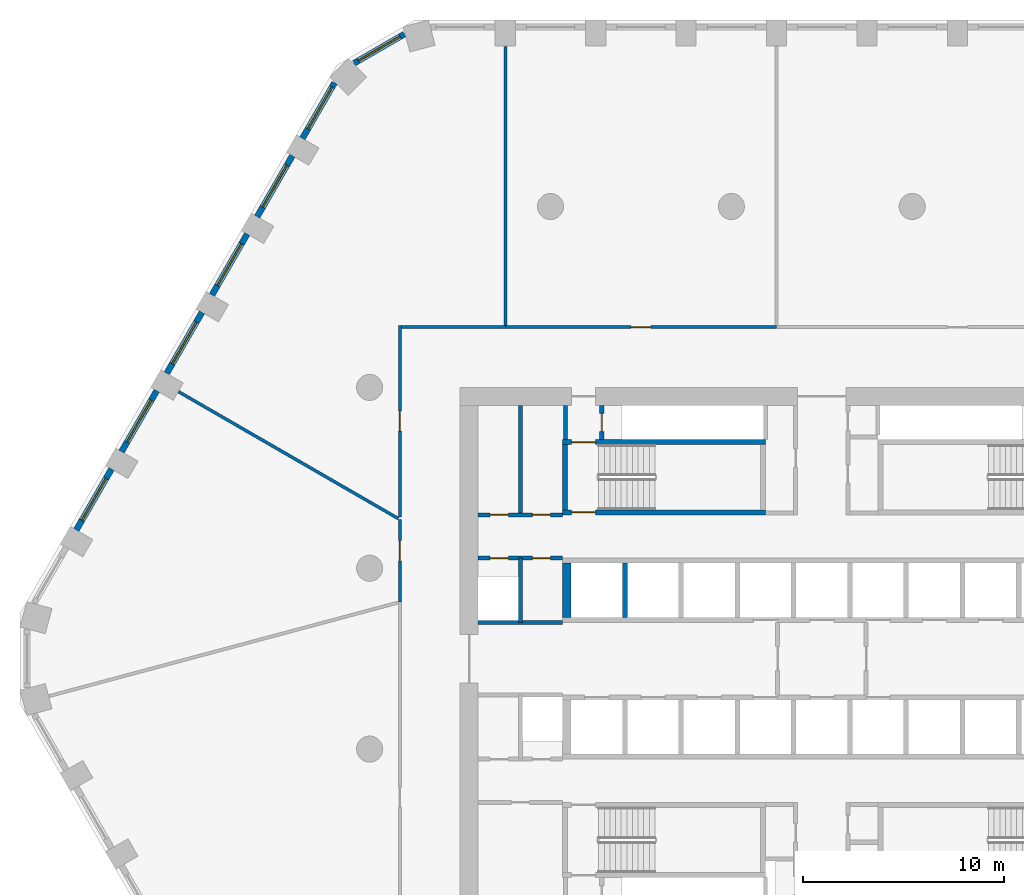
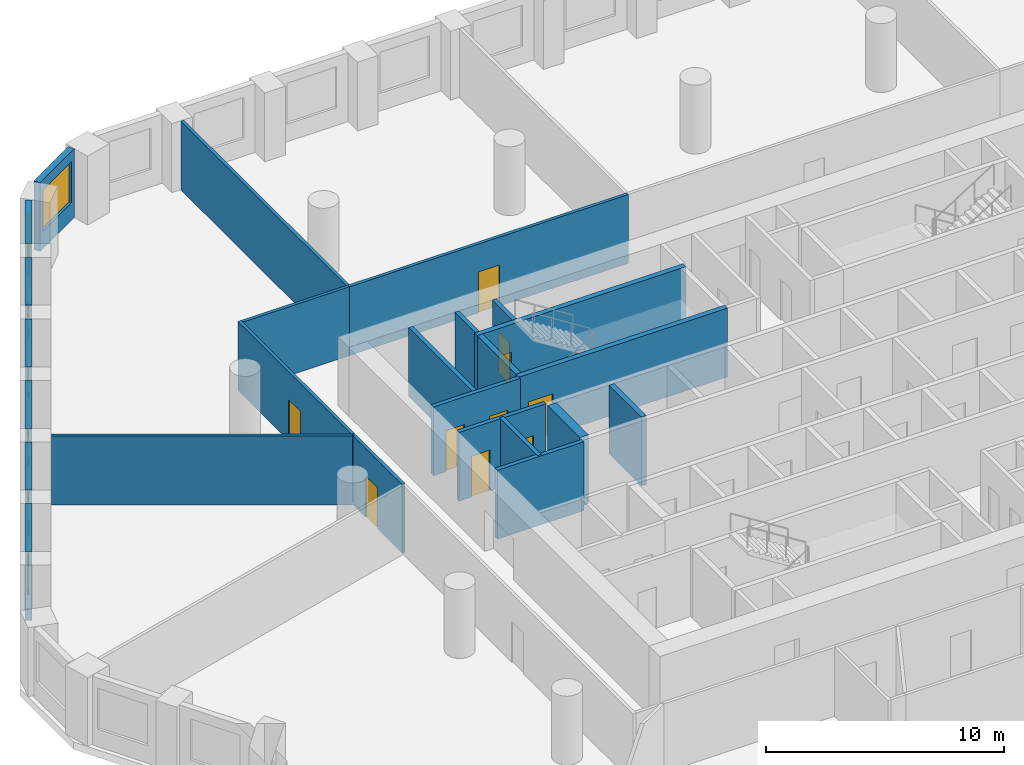
# One storey, part 5 of 9: 25 walls, 10 doors, 7 windows, 17 openings.
"""IFC4 building model written with IfcOpenShell, lengths in metres."""

from ifc_helpers import new_model, si_unit, direction, frame, frame_2d, origin, place, context, subcontext, project, spatial, polyline, rectangle, outline, extrude, material, layer, layer_set, type_object, element, fill, save


model = new_model("IFC4")

# Units and contexts
model_context = context("Model", 3, precision=1e-05, world=origin(), true_north=direction((0.0, 1.0)))
body_context = subcontext(model_context, "Body", "Model", "MODEL_VIEW")
ifc_project = project(units=[si_unit("LENGTHUNIT", "METRE"), si_unit("AREAUNIT", "SQUARE_METRE"), si_unit("VOLUMEUNIT", "CUBIC_METRE"), si_unit("PLANEANGLEUNIT", "RADIAN"), si_unit("MASSUNIT", "GRAM", prefix="KILO")], contexts=[model_context])

# Site, building, storey
site_placement = place(None, origin())
site = spatial("IfcSite", under=ifc_project, at=site_placement, CompositionType="ELEMENT")
building_placement = place(site_placement, origin())
building = spatial("IfcBuilding", under=site, at=building_placement, Name="Dhurran Vertical Campus", CompositionType="ELEMENT")
storey_placement = place(building_placement, frame((0.0, 0.0, 120.300048828125)))
storey = spatial("IfcBuildingStorey", under=building, at=storey_placement, Name="L29", CompositionType="ELEMENT", Elevation=120.300048828125)

# Wall, opening, window
ifc_material_1 = material(Name="Precast concrete C50/60", Category="concrete")
ifc_layer_1 = layer(ifc_material_1, 0.300048828125)
ifc_layer_set_1 = layer_set([ifc_layer_1], Name="Precast concrete C50/60")
wall_type_1 = type_object("IfcWallType", Name="Precast spandrel wall 300", PredefinedType="SOLIDWALL", material=ifc_layer_set_1)
wall_1_placement = place(storey_placement, frame((-20.774169921875, 31.072998046875, 0.0), z_axis=(0.0, 0.0, 1.0), x_axis=(-0.866053149362, -0.49995194017, 0.0)))
wall_1 = element("IfcWall", 1, at=wall_1_placement, inside=storey, type_object=wall_type_1, Name="EW1 L29.35", PredefinedType="SOLIDWALL", context=body_context, shape_type="SweptSolid", body=[
    extrude(rectangle(XDim=2.885498046875, YDim=0.300048828125, at=frame_2d((1.44287109375, 0.0))), origin(), (0.0, 0.0, 1.0), 3.52490234375),
])
opening_1_placement = place(wall_1_placement, frame((0.242919921875, 0.0, 0.89990234375)))
opening_1 = element("IfcOpeningElement", 2, at=opening_1_placement, cuts=wall_1, Name="Opening WT1", PredefinedType="OPENING", context=body_context, shape_type="SweptSolid", body=[
    extrude(rectangle(XDim=2.39990234375, YDim=2.10009765625, at=frame_2d((1.199951171875, 1.050048828125))), frame((0.0, 0.159912109375, 0.0), z_axis=(0.0, -1.0, 0.0), x_axis=(1.0, 0.0, 0.0)), (0.0, 0.0, 1.0), 0.320068359375),
])
ifc_material_2 = material(Name="Aluminium frame with solar-control glass", Category="aluminium")
window_type = type_object("IfcWindowType", Name="Punched window 2400 x 2100", PartitioningType="SINGLE_PANEL", PredefinedType="WINDOW", material=ifc_material_2)
window_1_placement = place(opening_1_placement, origin())
window_1 = element("IfcWindow", 3, at=window_1_placement, inside=storey, type_object=window_type, Name="WT1 L29.35", OverallHeight=2.10009765625, OverallWidth=2.39990234375, PartitioningType="SINGLE_PANEL", PredefinedType="WINDOW", context=body_context, shape_type="SweptSolid", body=[
    extrude(rectangle(XDim=2.39990234375, YDim=2.10009765625, at=frame_2d((1.199951171875, 1.050048828125))), frame((0.0, 0.030029296875, 0.0), z_axis=(0.0, -1.0, 0.0), x_axis=(1.0, 0.0, 0.0)), (0.0, 0.0, 1.0), 0.06005859375),
])
fill(opening_1, window_1)

wall_2_placement = place(storey_placement, frame((-24.24755859375, 28.65576171875, 0.0), z_axis=(0.0, 0.0, 1.0), x_axis=(-0.500004907028, -0.866022570692, 0.0)))
wall_2 = element("IfcWall", 4, at=wall_2_placement, inside=storey, type_object=wall_type_1, Name="EW1 L29.36", PredefinedType="SOLIDWALL", context=body_context, shape_type="SweptSolid", body=[
    extrude(rectangle(XDim=3.1923828125, YDim=0.300048828125, at=frame_2d((1.59619140625, 0.0))), origin(), (0.0, 0.0, 1.0), 3.52490234375),
])
opening_2_placement = place(wall_2_placement, frame((0.242919921875, 0.0, 0.89990234375)))
opening_2 = element("IfcOpeningElement", 5, at=opening_2_placement, cuts=wall_2, Name="Opening WT1", PredefinedType="OPENING", context=body_context, shape_type="SweptSolid", body=[
    extrude(rectangle(XDim=2.39990234375, YDim=2.10009765625, at=frame_2d((1.199951171875, 1.050048828125))), frame((0.0, 0.159912109375, 0.0), z_axis=(0.0, -1.0, 0.0), x_axis=(1.0, 0.0, 0.0)), (0.0, 0.0, 1.0), 0.320068359375),
])
window_2_placement = place(opening_2_placement, origin())
window_2 = element("IfcWindow", 6, at=window_2_placement, inside=storey, type_object=window_type, Name="WT1 L29.36", OverallHeight=2.10009765625, OverallWidth=2.39990234375, PartitioningType="SINGLE_PANEL", PredefinedType="WINDOW", context=body_context, shape_type="SweptSolid", body=[
    extrude(rectangle(XDim=2.39990234375, YDim=2.10009765625, at=frame_2d((1.199951171875, 1.050048828125))), frame((0.0, 0.030029296875, 0.0), z_axis=(0.0, -1.0, 0.0), x_axis=(1.0, 0.0, 0.0)), (0.0, 0.0, 1.0), 0.06005859375),
])
fill(opening_2, window_2)

wall_3_placement = place(storey_placement, frame((-26.34423828125, 25.024169921875, 0.0), z_axis=(0.0, 0.0, 1.0), x_axis=(-0.499996256241, -0.866027565234, 0.0)))
wall_3 = element("IfcWall", 7, at=wall_3_placement, inside=storey, type_object=wall_type_1, Name="EW1 L29.37", PredefinedType="SOLIDWALL", context=body_context, shape_type="SweptSolid", body=[
    extrude(rectangle(XDim=3.4990234375, YDim=0.300048828125, at=frame_2d((1.74951171875, 0.0))), origin(), (0.0, 0.0, 1.0), 3.52490234375),
])
opening_3_placement = place(wall_3_placement, frame((0.549560546875, 0.0, 0.89990234375)))
opening_3 = element("IfcOpeningElement", 8, at=opening_3_placement, cuts=wall_3, Name="Opening WT1", PredefinedType="OPENING", context=body_context, shape_type="SweptSolid", body=[
    extrude(rectangle(XDim=2.39990234375, YDim=2.10009765625, at=frame_2d((1.199951171875, 1.050048828125))), frame((0.0, 0.159912109375, 0.0), z_axis=(0.0, -1.0, 0.0), x_axis=(1.0, 0.0, 0.0)), (0.0, 0.0, 1.0), 0.320068359375),
])
window_3_placement = place(opening_3_placement, origin())
window_3 = element("IfcWindow", 9, at=window_3_placement, inside=storey, type_object=window_type, Name="WT1 L29.37", OverallHeight=2.10009765625, OverallWidth=2.39990234375, PartitioningType="SINGLE_PANEL", PredefinedType="WINDOW", context=body_context, shape_type="SweptSolid", body=[
    extrude(rectangle(XDim=2.39990234375, YDim=2.10009765625, at=frame_2d((1.199951171875, 1.050048828125))), frame((0.0, 0.030029296875, 0.0), z_axis=(0.0, -1.0, 0.0), x_axis=(1.0, 0.0, 0.0)), (0.0, 0.0, 1.0), 0.06005859375),
])
fill(opening_3, window_3)

wall_4_placement = place(storey_placement, frame((-28.59423828125, 21.127197265625, 0.0), z_axis=(0.0, 0.0, 1.0), x_axis=(-0.499996256241, -0.866027565234, 0.0)))
wall_4 = element("IfcWall", 10, at=wall_4_placement, inside=storey, type_object=wall_type_1, Name="EW1 L29.38", PredefinedType="SOLIDWALL", context=body_context, shape_type="SweptSolid", body=[
    extrude(rectangle(XDim=3.4990234375, YDim=0.300048828125, at=frame_2d((1.74951171875, 0.0))), origin(), (0.0, 0.0, 1.0), 3.52490234375),
])
opening_4_placement = place(wall_4_placement, frame((0.549560546875, 0.0, 0.89990234375)))
opening_4 = element("IfcOpeningElement", 11, at=opening_4_placement, cuts=wall_4, Name="Opening WT1", PredefinedType="OPENING", context=body_context, shape_type="SweptSolid", body=[
    extrude(rectangle(XDim=2.39990234375, YDim=2.10009765625, at=frame_2d((1.199951171875, 1.050048828125))), frame((0.0, 0.159912109375, 0.0), z_axis=(0.0, -1.0, 0.0), x_axis=(1.0, 0.0, 0.0)), (0.0, 0.0, 1.0), 0.320068359375),
])
window_4_placement = place(opening_4_placement, origin())
window_4 = element("IfcWindow", 12, at=window_4_placement, inside=storey, type_object=window_type, Name="WT1 L29.38", OverallHeight=2.10009765625, OverallWidth=2.39990234375, PartitioningType="SINGLE_PANEL", PredefinedType="WINDOW", context=body_context, shape_type="SweptSolid", body=[
    extrude(rectangle(XDim=2.39990234375, YDim=2.10009765625, at=frame_2d((1.199951171875, 1.050048828125))), frame((0.0, 0.030029296875, 0.0), z_axis=(0.0, -1.0, 0.0), x_axis=(1.0, 0.0, 0.0)), (0.0, 0.0, 1.0), 0.06005859375),
])
fill(opening_4, window_4)

wall_5_placement = place(storey_placement, frame((-30.84423828125, 17.22998046875, 0.0), z_axis=(0.0, 0.0, 1.0), x_axis=(-0.499996256241, -0.866027565234, 0.0)))
wall_5 = element("IfcWall", 13, at=wall_5_placement, inside=storey, type_object=wall_type_1, Name="EW1 L29.39", PredefinedType="SOLIDWALL", context=body_context, shape_type="SweptSolid", body=[
    extrude(rectangle(XDim=3.4990234375, YDim=0.300048828125, at=frame_2d((1.74951171875, 0.0))), origin(), (0.0, 0.0, 1.0), 3.52490234375),
])
opening_5_placement = place(wall_5_placement, frame((0.549560546875, 0.0, 0.89990234375)))
opening_5 = element("IfcOpeningElement", 14, at=opening_5_placement, cuts=wall_5, Name="Opening WT1", PredefinedType="OPENING", context=body_context, shape_type="SweptSolid", body=[
    extrude(rectangle(XDim=2.39990234375, YDim=2.10009765625, at=frame_2d((1.199951171875, 1.050048828125))), frame((0.0, 0.159912109375, 0.0), z_axis=(0.0, -1.0, 0.0), x_axis=(1.0, 0.0, 0.0)), (0.0, 0.0, 1.0), 0.320068359375),
])
window_5_placement = place(opening_5_placement, origin())
window_5 = element("IfcWindow", 15, at=window_5_placement, inside=storey, type_object=window_type, Name="WT1 L29.39", OverallHeight=2.10009765625, OverallWidth=2.39990234375, PartitioningType="SINGLE_PANEL", PredefinedType="WINDOW", context=body_context, shape_type="SweptSolid", body=[
    extrude(rectangle(XDim=2.39990234375, YDim=2.10009765625, at=frame_2d((1.199951171875, 1.050048828125))), frame((0.0, 0.030029296875, 0.0), z_axis=(0.0, -1.0, 0.0), x_axis=(1.0, 0.0, 0.0)), (0.0, 0.0, 1.0), 0.06005859375),
])
fill(opening_5, window_5)

wall_6_placement = place(storey_placement, frame((-33.09423828125, 13.3330078125, 0.0), z_axis=(0.0, 0.0, 1.0), x_axis=(-0.499996256241, -0.866027565234, 0.0)))
wall_6 = element("IfcWall", 16, at=wall_6_placement, inside=storey, type_object=wall_type_1, Name="EW1 L29.40", PredefinedType="SOLIDWALL", context=body_context, shape_type="SweptSolid", body=[
    extrude(rectangle(XDim=3.4990234375, YDim=0.300048828125, at=frame_2d((1.74951171875, 0.0))), origin(), (0.0, 0.0, 1.0), 3.52490234375),
])
opening_6_placement = place(wall_6_placement, frame((0.549560546875, 0.0, 0.89990234375)))
opening_6 = element("IfcOpeningElement", 17, at=opening_6_placement, cuts=wall_6, Name="Opening WT1", PredefinedType="OPENING", context=body_context, shape_type="SweptSolid", body=[
    extrude(rectangle(XDim=2.39990234375, YDim=2.10009765625, at=frame_2d((1.199951171875, 1.050048828125))), frame((0.0, 0.159912109375, 0.0), z_axis=(0.0, -1.0, 0.0), x_axis=(1.0, 0.0, 0.0)), (0.0, 0.0, 1.0), 0.320068359375),
])
window_6_placement = place(opening_6_placement, origin())
window_6 = element("IfcWindow", 18, at=window_6_placement, inside=storey, type_object=window_type, Name="WT1 L29.40", OverallHeight=2.10009765625, OverallWidth=2.39990234375, PartitioningType="SINGLE_PANEL", PredefinedType="WINDOW", context=body_context, shape_type="SweptSolid", body=[
    extrude(rectangle(XDim=2.39990234375, YDim=2.10009765625, at=frame_2d((1.199951171875, 1.050048828125))), frame((0.0, 0.030029296875, 0.0), z_axis=(0.0, -1.0, 0.0), x_axis=(1.0, 0.0, 0.0)), (0.0, 0.0, 1.0), 0.06005859375),
])
fill(opening_6, window_6)

wall_7_placement = place(storey_placement, frame((-35.34423828125, 9.435791015625, 0.0), z_axis=(0.0, 0.0, 1.0), x_axis=(-0.499996256241, -0.866027565234, 0.0)))
wall_7 = element("IfcWall", 19, at=wall_7_placement, inside=storey, type_object=wall_type_1, Name="EW1 L29.41", PredefinedType="SOLIDWALL", context=body_context, shape_type="SweptSolid", body=[
    extrude(rectangle(XDim=3.4990234375, YDim=0.300048828125, at=frame_2d((1.74951171875, 0.0))), origin(), (0.0, 0.0, 1.0), 3.52490234375),
])
opening_7_placement = place(wall_7_placement, frame((0.549560546875, 0.0, 0.89990234375)))
opening_7 = element("IfcOpeningElement", 20, at=opening_7_placement, cuts=wall_7, Name="Opening WT1", PredefinedType="OPENING", context=body_context, shape_type="SweptSolid", body=[
    extrude(rectangle(XDim=2.39990234375, YDim=2.10009765625, at=frame_2d((1.199951171875, 1.050048828125))), frame((0.0, 0.159912109375, 0.0), z_axis=(0.0, -1.0, 0.0), x_axis=(1.0, 0.0, 0.0)), (0.0, 0.0, 1.0), 0.320068359375),
])
window_7_placement = place(opening_7_placement, origin())
window_7 = element("IfcWindow", 21, at=window_7_placement, inside=storey, type_object=window_type, Name="WT1 L29.41", OverallHeight=2.10009765625, OverallWidth=2.39990234375, PartitioningType="SINGLE_PANEL", PredefinedType="WINDOW", context=body_context, shape_type="SweptSolid", body=[
    extrude(rectangle(XDim=2.39990234375, YDim=2.10009765625, at=frame_2d((1.199951171875, 1.050048828125))), frame((0.0, 0.030029296875, 0.0), z_axis=(0.0, -1.0, 0.0), x_axis=(1.0, 0.0, 0.0)), (0.0, 0.0, 1.0), 0.06005859375),
])
fill(opening_7, window_7)

# Wall
ifc_material_3 = material(Name="Fire-rated masonry blockwork", Category="masonry")
ifc_layer_2 = layer(ifc_material_3, 0.199951171875)
ifc_layer_set_2 = layer_set([ifc_layer_2], Name="Fire-rated masonry blockwork")
wall_type_2 = type_object("IfcWallType", Name="co-FIRE-PARTITION-200", PredefinedType="PARTITIONING", material=ifc_layer_set_2)
wall_8_placement = place(storey_placement, frame((-12.75, 10.89990234375, 0.0), z_axis=(0.0, 0.0, 1.0), x_axis=(0.0, 1.0, 0.0)))
element("IfcWall", 22, at=wall_8_placement, inside=storey, type_object=wall_type_2, Name="Core partition pass-ST1-o L29", PredefinedType="PARTITIONING", context=body_context, shape_type="SweptSolid", body=[
    extrude(rectangle(XDim=1.7001953125, YDim=0.199951171875, at=frame_2d((0.85009765625, 0.0))), origin(), (0.0, 0.0, 1.0), 3.52490234375),
])

# Wall, opening, door
wall_9_placement = place(storey_placement, frame((-10.949951171875, 10.89990234375, 0.0), z_axis=(0.0, 0.0, 1.0), x_axis=(0.0, 1.0, 0.0)))
wall_9 = element("IfcWall", 23, at=wall_9_placement, inside=storey, type_object=wall_type_2, Name="Core partition pass-ST1-i L29", PredefinedType="PARTITIONING", context=body_context, shape_type="SweptSolid", body=[
    extrude(rectangle(XDim=1.7001953125, YDim=0.199951171875, at=frame_2d((0.85009765625, 0.0))), origin(), (0.0, 0.0, 1.0), 3.52490234375),
])
opening_8_placement = place(wall_9_placement, frame((0.39990234375, 0.0, 0.0)))
opening_8 = element("IfcOpeningElement", 24, at=opening_8_placement, cuts=wall_9, Name="Opening T08-C9", PredefinedType="OPENING", context=body_context, shape_type="SweptSolid", body=[
    extrude(rectangle(XDim=0.89990234375, YDim=2.10009765625, at=frame_2d((0.449951171875, 1.050048828125))), frame((0.0, 0.10986328125, 0.0), z_axis=(0.0, -1.0, 0.0), x_axis=(1.0, 0.0, 0.0)), (0.0, 0.0, 1.0), 0.219970703125),
])
ifc_material_4 = material(Name="Fire-rated timber door set", Category="wood")
door_type_1 = type_object("IfcDoorType", Name="co-D-ROOM 900x2100", OperationType="SINGLE_SWING_LEFT", PredefinedType="DOOR", material=ifc_material_4)
door_1_placement = place(opening_8_placement, origin())
door_1 = element("IfcDoor", 25, at=door_1_placement, inside=storey, type_object=door_type_1, Name="Riser room door L29", OperationType="SINGLE_SWING_LEFT", OverallHeight=2.10009765625, OverallWidth=0.89990234375, PredefinedType="DOOR", context=body_context, shape_type="SweptSolid", body=[
    extrude(rectangle(XDim=0.89990234375, YDim=2.10009765625, at=frame_2d((0.449951171875, 1.050048828125))), frame((0.0, 0.02490234375, 0.0), z_axis=(0.0, -1.0, 0.0), x_axis=(1.0, 0.0, 0.0)), (0.0, 0.0, 1.0), 0.050048828125),
])
fill(opening_8, door_1)

# Wall
wall_10_placement = place(storey_placement, frame((-15.0, 7.14990234375, 0.0), z_axis=(0.0, 0.0, 1.0), x_axis=(0.0, 1.0, 0.0)))
element("IfcWall", 26, at=wall_10_placement, inside=storey, type_object=wall_type_2, Name="Core partition en-NW-cut0 L29", PredefinedType="PARTITIONING", context=body_context, shape_type="SweptSolid", body=[
    extrude(rectangle(XDim=5.4501953125, YDim=0.199951171875, at=frame_2d((2.72509765625, 0.0))), origin(), (0.0, 0.0, 1.0), 3.52490234375),
])

# Wall, openings, doors
wall_11_placement = place(storey_placement, frame((-17.10009765625, 7.14990234375, 0.0), z_axis=(0.0, 0.0, 1.0), x_axis=(1.0, 0.0, 0.0)))
wall_11 = element("IfcWall", 27, at=wall_11_placement, inside=storey, type_object=wall_type_2, Name="Core partition en-NW-w L29", PredefinedType="PARTITIONING", context=body_context, shape_type="SweptSolid", body=[
    extrude(rectangle(XDim=4.2001953125, YDim=0.199951171875, at=frame_2d((2.10009765625, 0.0))), origin(), (0.0, 0.0, 1.0), 3.52490234375),
])
opening_9_placement = place(wall_11_placement, frame((0.60009765625, 0.0, 0.0)))
opening_9 = element("IfcOpeningElement", 28, at=opening_9_placement, cuts=wall_11, Name="Opening T08-C13", PredefinedType="OPENING", context=body_context, shape_type="SweptSolid", body=[
    extrude(rectangle(XDim=0.89990234375, YDim=2.10009765625, at=frame_2d((0.449951171875, 1.050048828125))), frame((0.0, 0.10986328125, 0.0), z_axis=(0.0, -1.0, 0.0), x_axis=(1.0, 0.0, 0.0)), (0.0, 0.0, 1.0), 0.219970703125),
])
opening_10_placement = place(wall_11_placement, frame((2.699951171875, 0.0, 0.0)))
opening_10 = element("IfcOpeningElement", 29, at=opening_10_placement, cuts=wall_11, Name="Opening T08-C14", PredefinedType="OPENING", context=body_context, shape_type="SweptSolid", body=[
    extrude(rectangle(XDim=0.89990234375, YDim=2.10009765625, at=frame_2d((0.449951171875, 1.050048828125))), frame((0.0, 0.10986328125, 0.0), z_axis=(0.0, -1.0, 0.0), x_axis=(1.0, 0.0, 0.0)), (0.0, 0.0, 1.0), 0.219970703125),
])
door_2_placement = place(opening_9_placement, origin())
door_2 = element("IfcDoor", 30, at=door_2_placement, inside=storey, type_object=door_type_1, Name="Server room door L29", OperationType="SINGLE_SWING_LEFT", OverallHeight=2.10009765625, OverallWidth=0.89990234375, PredefinedType="DOOR", context=body_context, shape_type="SweptSolid", body=[
    extrude(rectangle(XDim=0.89990234375, YDim=2.10009765625, at=frame_2d((0.449951171875, 1.050048828125))), frame((0.0, 0.02490234375, 0.0), z_axis=(0.0, -1.0, 0.0), x_axis=(1.0, 0.0, 0.0)), (0.0, 0.0, 1.0), 0.050048828125),
])
fill(opening_9, door_2)
door_3_placement = place(opening_10_placement, origin())
door_3 = element("IfcDoor", 31, at=door_3_placement, inside=storey, type_object=door_type_1, Name="Pantry door L29", OperationType="SINGLE_SWING_LEFT", OverallHeight=2.10009765625, OverallWidth=0.89990234375, PredefinedType="DOOR", context=body_context, shape_type="SweptSolid", body=[
    extrude(rectangle(XDim=0.89990234375, YDim=2.10009765625, at=frame_2d((0.449951171875, 1.050048828125))), frame((0.0, 0.02490234375, 0.0), z_axis=(0.0, -1.0, 0.0), x_axis=(1.0, 0.0, 0.0)), (0.0, 0.0, 1.0), 0.050048828125),
])
fill(opening_10, door_3)

# Wall
wall_12_placement = place(storey_placement, frame((-15.0, 1.800048828125, 0.0), z_axis=(0.0, 0.0, 1.0), x_axis=(0.0, 1.0, 0.0)))
element("IfcWall", 32, at=wall_12_placement, inside=storey, type_object=wall_type_2, Name="Core partition es-NW-cut0 L29", PredefinedType="PARTITIONING", context=body_context, shape_type="SweptSolid", body=[
    extrude(rectangle(XDim=3.199951171875, YDim=0.199951171875, at=frame_2d((1.60009765625, 0.0))), origin(), (0.0, 0.0, 1.0), 3.52490234375),
])

# Wall, openings, doors
wall_13_placement = place(storey_placement, frame((-17.10009765625, 5.0, 0.0), z_axis=(0.0, 0.0, 1.0), x_axis=(1.0, 0.0, 0.0)))
wall_13 = element("IfcWall", 33, at=wall_13_placement, inside=storey, type_object=wall_type_2, Name="Core partition es-NW-w L29", PredefinedType="PARTITIONING", context=body_context, shape_type="SweptSolid", body=[
    extrude(rectangle(XDim=4.2001953125, YDim=0.199951171875, at=frame_2d((2.10009765625, 0.0))), origin(), (0.0, 0.0, 1.0), 3.52490234375),
])
opening_11_placement = place(wall_13_placement, frame((0.60009765625, 0.0, 0.0)))
opening_11 = element("IfcOpeningElement", 34, at=opening_11_placement, cuts=wall_13, Name="Opening T08-C15", PredefinedType="OPENING", context=body_context, shape_type="SweptSolid", body=[
    extrude(rectangle(XDim=0.89990234375, YDim=2.10009765625, at=frame_2d((0.449951171875, 1.050048828125))), frame((0.0, 0.10986328125, 0.0), z_axis=(0.0, -1.0, 0.0), x_axis=(1.0, 0.0, 0.0)), (0.0, 0.0, 1.0), 0.219970703125),
])
opening_12_placement = place(wall_13_placement, frame((2.699951171875, 0.0, 0.0)))
opening_12 = element("IfcOpeningElement", 35, at=opening_12_placement, cuts=wall_13, Name="Opening T08-C16", PredefinedType="OPENING", context=body_context, shape_type="SweptSolid", body=[
    extrude(rectangle(XDim=0.89990234375, YDim=2.10009765625, at=frame_2d((0.449951171875, 1.050048828125))), frame((0.0, 0.10986328125, 0.0), z_axis=(0.0, -1.0, 0.0), x_axis=(1.0, 0.0, 0.0)), (0.0, 0.0, 1.0), 0.219970703125),
])
door_4_placement = place(opening_11_placement, origin())
door_4 = element("IfcDoor", 36, at=door_4_placement, inside=storey, type_object=door_type_1, Name="Water riser door L29", OperationType="SINGLE_SWING_LEFT", OverallHeight=2.10009765625, OverallWidth=0.89990234375, PredefinedType="DOOR", context=body_context, shape_type="SweptSolid", body=[
    extrude(rectangle(XDim=0.89990234375, YDim=2.10009765625, at=frame_2d((0.449951171875, 1.050048828125))), frame((0.0, 0.02490234375, 0.0), z_axis=(0.0, -1.0, 0.0), x_axis=(1.0, 0.0, 0.0)), (0.0, 0.0, 1.0), 0.050048828125),
])
fill(opening_11, door_4)
door_5_placement = place(opening_12_placement, origin())
door_5 = element("IfcDoor", 37, at=door_5_placement, inside=storey, type_object=door_type_1, Name="Print room door L29", OperationType="SINGLE_SWING_LEFT", OverallHeight=2.10009765625, OverallWidth=0.89990234375, PredefinedType="DOOR", context=body_context, shape_type="SweptSolid", body=[
    extrude(rectangle(XDim=0.89990234375, YDim=2.10009765625, at=frame_2d((0.449951171875, 1.050048828125))), frame((0.0, 0.02490234375, 0.0), z_axis=(0.0, -1.0, 0.0), x_axis=(1.0, 0.0, 0.0)), (0.0, 0.0, 1.0), 0.050048828125),
])
fill(opening_12, door_5)

# Walls
wall_14_placement = place(storey_placement, frame((-17.10009765625, 1.800048828125, 0.0), z_axis=(0.0, 0.0, 1.0), x_axis=(1.0, 0.0, 0.0)))
element("IfcWall", 38, at=wall_14_placement, inside=storey, type_object=wall_type_2, Name="Core partition es-NW-l L29", PredefinedType="PARTITIONING", context=body_context, shape_type="SweptSolid", body=[
    extrude(rectangle(XDim=4.2001953125, YDim=0.199951171875, at=frame_2d((2.10009765625, 0.0))), origin(), (0.0, 0.0, 1.0), 3.52490234375),
])
ifc_material_5 = material(Name="Concrete C50/60", Category="concrete")
ifc_layer_3 = layer(ifc_material_5, 0.25)
ifc_layer_set_3 = layer_set([ifc_layer_3], Name="Concrete C50/60")
wall_type_3 = type_object("IfcWallType", Name="co-SHAFT-MASS-250", PredefinedType="SHEAR", material=ifc_layer_set_3)
wall_15_placement = place(storey_placement, origin())
element("IfcWall", 39, at=wall_15_placement, inside=storey, type_object=wall_type_3, Name="Lift shaft wall N L29 2", PredefinedType="SHEAR", context=body_context, shape_type="SweptSolid", body=[
    extrude(outline(polyline([(-12.89990234375, 2.050048828125), (-12.47509765625, 2.050048828125), (-12.47509765625, 4.75), (-12.89990234375, 4.75), (-12.89990234375, 2.050048828125)])), origin(), (0.0, 0.0, 1.0), 3.52490234375),
])
wall_16_placement = place(storey_placement, origin())
element("IfcWall", 40, at=wall_16_placement, inside=storey, type_object=wall_type_3, Name="Lift shaft wall N L29 3", PredefinedType="SHEAR", context=body_context, shape_type="SweptSolid", body=[
    extrude(outline(polyline([(-9.925048828125, 2.050048828125), (-9.675048828125, 2.050048828125), (-9.675048828125, 4.75), (-9.925048828125, 4.75), (-9.925048828125, 2.050048828125)])), origin(), (0.0, 0.0, 1.0), 3.52490234375),
])

# Wall, opening, door
ifc_material_6 = material(Name="Concrete C40/50", Category="concrete")
ifc_layer_4 = layer(ifc_material_6, 0.25)
ifc_layer_set_4 = layer_set([ifc_layer_4], Name="Concrete C40/50")
wall_type_4 = type_object("IfcWallType", Name="co-STAIR-WALL-250", PredefinedType="SHEAR", material=ifc_layer_set_4)
wall_17_placement = place(storey_placement, frame((-12.89990234375, 7.27490234375, 0.0), z_axis=(0.0, 0.0, 1.0), x_axis=(1.0, 0.0, 0.0)))
wall_17 = element("IfcWall", 41, at=wall_17_placement, inside=storey, type_object=wall_type_4, Name="Stair ST1 enclosure wall L29", PredefinedType="SHEAR", context=body_context, shape_type="SweptSolid", body=[
    extrude(rectangle(XDim=10.099853515625, YDim=0.25, at=frame_2d((5.0498046875, 0.0))), origin(), (0.0, 0.0, 1.0), 3.52490234375),
])
opening_13_placement = place(wall_17_placement, frame((0.449951171875, 0.0, 0.0)))
opening_13 = element("IfcOpeningElement", 42, at=opening_13_placement, cuts=wall_17, Name="Opening SD1", PredefinedType="OPENING", context=body_context, shape_type="SweptSolid", body=[
    extrude(rectangle(XDim=1.199951171875, YDim=2.10009765625, at=frame_2d((0.60009765625, 1.050048828125))), frame((0.0, 0.135009765625, 0.0), z_axis=(0.0, -1.0, 0.0), x_axis=(1.0, 0.0, 0.0)), (0.0, 0.0, 1.0), 0.27001953125),
])
ifc_material_7 = material(Name="Fire-rated steel door set", Category="steel")
door_type_2 = type_object("IfcDoorType", Name="co-D-STAIR 1200x2100", OperationType="SINGLE_SWING_LEFT", PredefinedType="DOOR", material=ifc_material_7)
door_6_placement = place(opening_13_placement, origin())
door_6 = element("IfcDoor", 43, at=door_6_placement, inside=storey, type_object=door_type_2, Name="Stair ST1 door L29", OperationType="SINGLE_SWING_LEFT", OverallHeight=2.10009765625, OverallWidth=1.199951171875, PredefinedType="DOOR", context=body_context, shape_type="SweptSolid", body=[
    extrude(rectangle(XDim=1.199951171875, YDim=2.10009765625, at=frame_2d((0.60009765625, 1.050048828125))), frame((0.0, 0.02490234375, 0.0), z_axis=(0.0, -1.0, 0.0), x_axis=(1.0, 0.0, 0.0)), (0.0, 0.0, 1.0), 0.050048828125),
])
fill(opening_13, door_6)

wall_18_placement = place(storey_placement, frame((-12.89990234375, 10.77490234375, 0.0), z_axis=(0.0, 0.0, 1.0), x_axis=(1.0, 0.0, 0.0)))
wall_18 = element("IfcWall", 44, at=wall_18_placement, inside=storey, type_object=wall_type_4, Name="Stair ST1 enclosure wall L29", PredefinedType="SHEAR", context=body_context, shape_type="SweptSolid", body=[
    extrude(rectangle(XDim=10.099853515625, YDim=0.25, at=frame_2d((5.0498046875, 0.0))), origin(), (0.0, 0.0, 1.0), 3.52490234375),
])
opening_14_placement = place(wall_18_placement, frame((0.449951171875, 0.0, 0.0)))
opening_14 = element("IfcOpeningElement", 45, at=opening_14_placement, cuts=wall_18, Name="Opening XS1", PredefinedType="OPENING", context=body_context, shape_type="SweptSolid", body=[
    extrude(rectangle(XDim=1.199951171875, YDim=2.10009765625, at=frame_2d((0.60009765625, 1.050048828125))), frame((0.0, 0.135009765625, 0.0), z_axis=(0.0, -1.0, 0.0), x_axis=(1.0, 0.0, 0.0)), (0.0, 0.0, 1.0), 0.27001953125),
])
ifc_material_8 = material(Name="Fire-rated steel door set", Category="steel")
door_type_3 = type_object("IfcDoorType", Name="co-D-STAIR-EXIT 1200x2100", OperationType="SINGLE_SWING_RIGHT", PredefinedType="DOOR", material=ifc_material_8)
door_7_placement = place(opening_14_placement, origin())
door_7 = element("IfcDoor", 46, at=door_7_placement, inside=storey, type_object=door_type_3, Name="Stair ST1 discharge door L29", OperationType="SINGLE_SWING_RIGHT", OverallHeight=2.10009765625, OverallWidth=1.199951171875, PredefinedType="DOOR", context=body_context, shape_type="SweptSolid", body=[
    extrude(rectangle(XDim=1.199951171875, YDim=2.10009765625, at=frame_2d((0.60009765625, 1.050048828125))), frame((0.0, 0.02490234375, 0.0), z_axis=(0.0, -1.0, 0.0), x_axis=(1.0, 0.0, 0.0)), (0.0, 0.0, 1.0), 0.050048828125),
])
fill(opening_14, door_7)

# Wall
wall_19_placement = place(storey_placement, frame((-12.77490234375, 7.39990234375, 0.0), z_axis=(0.0, 0.0, 1.0), x_axis=(0.0, 1.0, 0.0)))
element("IfcWall", 47, at=wall_19_placement, inside=storey, type_object=wall_type_4, Name="Stair ST1 enclosure wall L29", PredefinedType="SHEAR", context=body_context, shape_type="SweptSolid", body=[
    extrude(rectangle(XDim=3.25, YDim=0.25, at=frame_2d((1.625, 0.0))), origin(), (0.0, 0.0, 1.0), 3.52490234375),
])

# Wall, opening, door
ifc_material_9 = material(Name="Gypsum board corridor wall on steel studs", Category="steel")
ifc_layer_5 = layer(ifc_material_9, 0.14990234375)
ifc_layer_set_5 = layer_set([ifc_layer_5], Name="Gypsum board corridor wall on steel studs")
wall_type_5 = type_object("IfcWallType", Name="fl-CW-150 corridor wall", PredefinedType="PARTITIONING", material=ifc_layer_set_5)
wall_20_placement = place(storey_placement, frame((-21.0, 6.927978515625, 0.0), z_axis=(0.0, 0.0, 1.0), x_axis=(0.0, -1.0, 0.0)))
wall_20 = element("IfcWall", 48, at=wall_20_placement, inside=storey, type_object=wall_type_5, Name="Partition 29-06", PredefinedType="PARTITIONING", context=body_context, shape_type="SweptSolid", body=[
    extrude(rectangle(XDim=4.114990234375, YDim=0.14990234375, at=frame_2d((2.0576171875, 0.0))), origin(), (0.0, 0.0, 1.0), 3.52490234375),
])
opening_15_placement = place(wall_20_placement, frame((1.0576171875, 0.0, 0.0)))
opening_15 = element("IfcOpeningElement", 49, at=opening_15_placement, cuts=wall_20, Name="Opening T08.01", PredefinedType="OPENING", context=body_context, shape_type="SweptSolid", body=[
    extrude(rectangle(XDim=1.0, YDim=2.10009765625, at=frame_2d((0.5, 1.050048828125))), frame((0.0, 0.0849609375, 0.0), z_axis=(0.0, -1.0, 0.0), x_axis=(1.0, 0.0, 0.0)), (0.0, 0.0, 1.0), 0.169921875),
])
ifc_material_10 = material(Name="Solid-core timber door set, fire-rated", Category="wood")
door_type_4 = type_object("IfcDoorType", Name="fl-D-1000x2100", OperationType="SINGLE_SWING_LEFT", PredefinedType="DOOR", material=ifc_material_10)
door_8_placement = place(opening_15_placement, origin())
door_8 = element("IfcDoor", 50, at=door_8_placement, inside=storey, type_object=door_type_4, Name="Door 29.01", OperationType="SINGLE_SWING_LEFT", OverallHeight=2.10009765625, OverallWidth=1.0, PredefinedType="DOOR", context=body_context, shape_type="SweptSolid", body=[
    extrude(rectangle(XDim=1.0, YDim=2.10009765625, at=frame_2d((0.5, 1.050048828125))), frame((0.0, 0.02490234375, 0.0), z_axis=(0.0, -1.0, 0.0), x_axis=(1.0, 0.0, 0.0)), (0.0, 0.0, 1.0), 0.050048828125),
])
fill(opening_15, door_8)

wall_21_placement = place(storey_placement, frame((-21.0, 16.574951171875, 0.0), z_axis=(0.0, 0.0, 1.0), x_axis=(0.0, -1.0, 0.0)))
wall_21 = element("IfcWall", 51, at=wall_21_placement, inside=storey, type_object=wall_type_5, Name="Partition 29-07", PredefinedType="PARTITIONING", context=body_context, shape_type="SweptSolid", body=[
    extrude(rectangle(XDim=9.516845703125, YDim=0.14990234375, at=frame_2d((4.75830078125, 0.0))), origin(), (0.0, 0.0, 1.0), 3.52490234375),
])
opening_16_placement = place(wall_21_placement, frame((4.258544921875, 0.0, 0.0)))
opening_16 = element("IfcOpeningElement", 52, at=opening_16_placement, cuts=wall_21, Name="Opening T08.03", PredefinedType="OPENING", context=body_context, shape_type="SweptSolid", body=[
    extrude(rectangle(XDim=1.0, YDim=2.10009765625, at=frame_2d((0.5, 1.050048828125))), frame((0.0, 0.0849609375, 0.0), z_axis=(0.0, -1.0, 0.0), x_axis=(1.0, 0.0, 0.0)), (0.0, 0.0, 1.0), 0.169921875),
])
door_9_placement = place(opening_16_placement, origin())
door_9 = element("IfcDoor", 53, at=door_9_placement, inside=storey, type_object=door_type_4, Name="Door 29.03", OperationType="SINGLE_SWING_RIGHT", OverallHeight=2.10009765625, OverallWidth=1.0, PredefinedType="DOOR", context=body_context, shape_type="SweptSolid", body=[
    extrude(rectangle(XDim=1.0, YDim=2.10009765625, at=frame_2d((0.5, 1.050048828125))), frame((0.0, 0.02490234375, 0.0), z_axis=(0.0, -1.0, 0.0), x_axis=(1.0, 0.0, 0.0)), (0.0, 0.0, 1.0), 0.050048828125),
])
fill(opening_16, door_9)

# Wall
wall_22_placement = place(storey_placement, frame((-15.75, 16.5, 0.0), z_axis=(0.0, 0.0, 1.0), x_axis=(-1.0, 0.0, 0.0)))
element("IfcWall", 54, at=wall_22_placement, inside=storey, type_object=wall_type_5, Name="Partition 29-08", PredefinedType="PARTITIONING", context=body_context, shape_type="SweptSolid", body=[
    extrude(rectangle(XDim=5.175048828125, YDim=0.14990234375, at=frame_2d((2.58740234375, 0.0))), origin(), (0.0, 0.0, 1.0), 3.52490234375),
])

# Wall, opening, door
wall_23_placement = place(storey_placement, frame((-2.25, 16.5, 0.0), z_axis=(0.0, 0.0, 1.0), x_axis=(-1.0, 0.0, 0.0)))
wall_23 = element("IfcWall", 55, at=wall_23_placement, inside=storey, type_object=wall_type_5, Name="Partition 29-11", PredefinedType="PARTITIONING", context=body_context, shape_type="SweptSolid", body=[
    extrude(rectangle(XDim=13.5, YDim=0.14990234375, at=frame_2d((6.75, 0.0))), origin(), (0.0, 0.0, 1.0), 3.52490234375),
])
opening_17_placement = place(wall_23_placement, frame((6.25, 0.0, 0.0)))
opening_17 = element("IfcOpeningElement", 56, at=opening_17_placement, cuts=wall_23, Name="Opening T08.06", PredefinedType="OPENING", context=body_context, shape_type="SweptSolid", body=[
    extrude(rectangle(XDim=1.0, YDim=2.10009765625, at=frame_2d((0.5, 1.050048828125))), frame((0.0, 0.0849609375, 0.0), z_axis=(0.0, -1.0, 0.0), x_axis=(1.0, 0.0, 0.0)), (0.0, 0.0, 1.0), 0.169921875),
])
door_10_placement = place(opening_17_placement, origin())
door_10 = element("IfcDoor", 57, at=door_10_placement, inside=storey, type_object=door_type_4, Name="Door 29.06", OperationType="SINGLE_SWING_LEFT", OverallHeight=2.10009765625, OverallWidth=1.0, PredefinedType="DOOR", context=body_context, shape_type="SweptSolid", body=[
    extrude(rectangle(XDim=1.0, YDim=2.10009765625, at=frame_2d((0.5, 1.050048828125))), frame((0.0, 0.02490234375, 0.0), z_axis=(0.0, -1.0, 0.0), x_axis=(1.0, 0.0, 0.0)), (0.0, 0.0, 1.0), 0.050048828125),
])
fill(opening_17, door_10)

# Walls
ifc_material_11 = material(Name="Gypsum board partition on steel studs", Category="steel")
ifc_layer_6 = layer(ifc_material_11, 0.14990234375)
ifc_layer_set_6 = layer_set([ifc_layer_6], Name="Gypsum board partition on steel studs")
wall_type_6 = type_object("IfcWallType", Name="fl-PW-150 fixed partition", PredefinedType="PARTITIONING", material=ifc_layer_set_6)
wall_24_placement = place(storey_placement, frame((-32.00390625, 13.28125, 0.0), z_axis=(0.0, 0.0, 1.0), x_axis=(0.866023362995, -0.500003534735, 0.0)))
element("IfcWall", 58, at=wall_24_placement, inside=storey, type_object=wall_type_6, Name="Partition 29-02", PredefinedType="PARTITIONING", context=body_context, shape_type="SweptSolid", body=[
    extrude(rectangle(XDim=12.63134765625, YDim=0.14990234375, at=frame_2d((6.315673828125, 0.0))), origin(), (0.0, 0.0, 1.0), 3.52490234375),
])
wall_25_placement = place(storey_placement, frame((-15.75, 30.459716796875, 0.0), z_axis=(0.0, 0.0, 1.0), x_axis=(0.0, -1.0, 0.0)))
element("IfcWall", 59, at=wall_25_placement, inside=storey, type_object=wall_type_6, Name="Partition 29-10", PredefinedType="PARTITIONING", context=body_context, shape_type="SweptSolid", body=[
    extrude(rectangle(XDim=13.884765625, YDim=0.14990234375, at=frame_2d((6.9423828125, 0.0))), origin(), (0.0, 0.0, 1.0), 3.52490234375),
])

save(model, "model.ifc")
